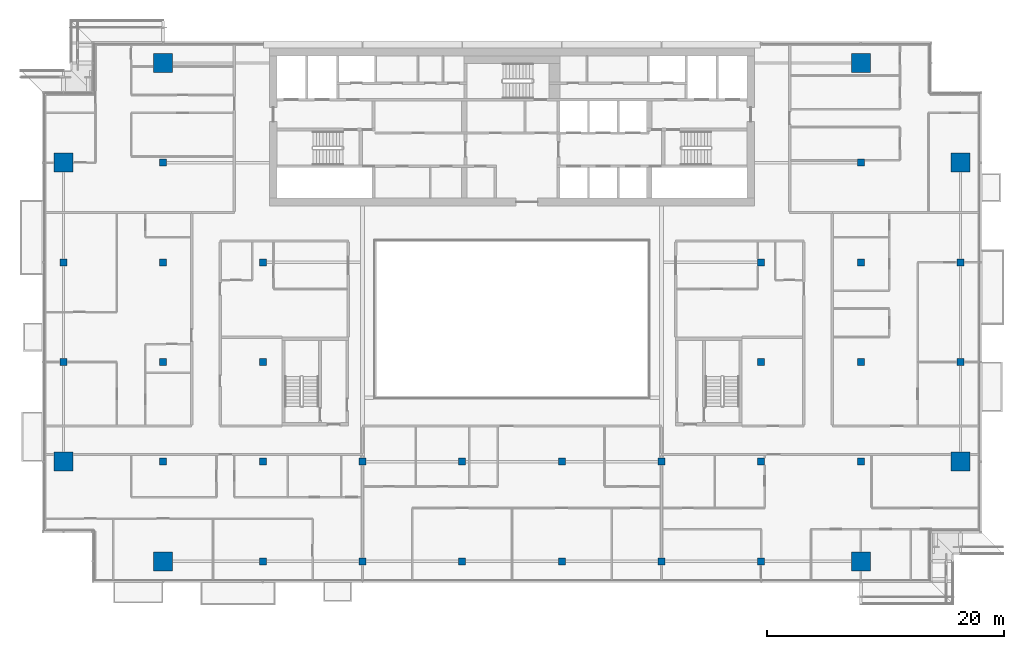
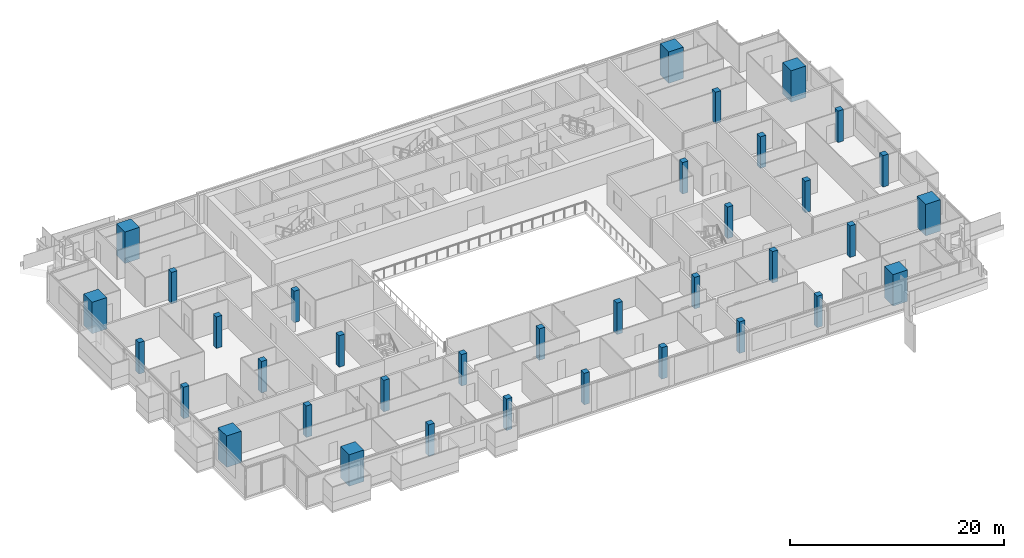
# One storey, part 1 of 30: 36 columns.
"""IFC4 building model written with IfcOpenShell, lengths in metres."""

from ifc_helpers import new_model, si_unit, direction, frame, origin, origin_2d, place, context, subcontext, project, spatial, rectangle, extrude, material, material_profile, profile_set, type_object, element, save


model = new_model("IFC4")

# Units and contexts
model_context = context("Model", 3, precision=1e-05, world=origin(), true_north=direction((0.0, 1.0)))
body_context = subcontext(model_context, "Body", "Model", "MODEL_VIEW")
ifc_project = project(units=[si_unit("LENGTHUNIT", "METRE"), si_unit("AREAUNIT", "SQUARE_METRE"), si_unit("VOLUMEUNIT", "CUBIC_METRE"), si_unit("PLANEANGLEUNIT", "RADIAN"), si_unit("MASSUNIT", "GRAM", prefix="KILO")], contexts=[model_context])

# Site, building, storey
site_placement = place(None, origin())
site = spatial("IfcSite", under=ifc_project, at=site_placement, CompositionType="ELEMENT")
building_placement = place(site_placement, origin())
building = spatial("IfcBuilding", under=site, at=building_placement, Name="Saffron Gate Tower", CompositionType="ELEMENT")
storey_placement = place(building_placement, frame((0.0, 0.0, 216.300048828125)))
storey = spatial("IfcBuildingStorey", under=building, at=storey_placement, Name="L52", CompositionType="ELEMENT", Elevation=216.300048828125)

# Columns
ifc_material_1 = material(Name="Concrete C50", Category="concrete")
ifc_material_profile_1 = material_profile(ifc_material_1, rectangle(XDim=0.60009765625, YDim=0.60009765625, at=origin_2d()))
ifc_profile_set_1 = profile_set([ifc_material_profile_1], Name="Concrete C50")
column_type_1 = type_object("IfcColumnType", Name="C2 RC 600x600 CONCRETE C50", PredefinedType="COLUMN", material=ifc_profile_set_1)
for number, where, z_axis, x_axis, name in (
    (1, (49.800048828125, 48.60009765625, 0.0), (0.0, 0.0, 1.0), (1.0, 0.0, 0.0), "C2 COLUMN X1-C"),
    (2, (49.800048828125, 57.0, 0.0), (0.0, 0.0, 1.0), (1.0, 0.0, 0.0), "C2 COLUMN X1-D"),
    (3, (58.199951171875, 40.199951171875, 0.0), (0.0, 0.0, 1.0), (1.0, 0.0, 0.0), "C2 COLUMN X2-B"),
    (4, (58.199951171875, 48.60009765625, 0.0), (0.0, 0.0, 1.0), (1.0, 0.0, 0.0), "C2 COLUMN X2-C"),
    (5, (58.199951171875, 57.0, 0.0), (0.0, 0.0, 1.0), (1.0, 0.0, 0.0), "C2 COLUMN X2-D"),
    (6, (58.199951171875, 65.39990234375, 0.0), (0.0, 0.0, 1.0), (1.0, 0.0, 0.0), "C2 COLUMN X2-E"),
    (7, (66.60009765625, 31.800048828125, 0.0), (0.0, 0.0, 1.0), (1.0, 0.0, 0.0), "C2 COLUMN X3-A"),
    (8, (66.60009765625, 40.199951171875, 0.0), (0.0, 0.0, 1.0), (1.0, 0.0, 0.0), "C2 COLUMN X3-B"),
    (9, (66.60009765625, 48.60009765625, 0.0), (0.0, 0.0, 1.0), (1.0, 0.0, 0.0), "C2 COLUMN X3-C"),
    (10, (66.60009765625, 57.0, 0.0), (0.0, 0.0, 1.0), (1.0, 0.0, 0.0), "C2 COLUMN X3-D"),
    (11, (75.0, 31.800048828125, 0.0), (0.0, 0.0, 1.0), (1.0, 0.0, 0.0), "C2 COLUMN X4-A"),
    (12, (75.0, 40.199951171875, 0.0), (0.0, 0.0, 1.0), (1.0, 0.0, 0.0), "C2 COLUMN X4-B"),
    (13, (83.39990234375, 31.800048828125, 0.0), (0.0, 0.0, 1.0), (1.0, 0.0, 0.0), "C2 COLUMN X5-A"),
    (14, (83.39990234375, 40.199951171875, 0.0), (0.0, 0.0, 1.0), (1.0, 0.0, 0.0), "C2 COLUMN X5-B"),
    (15, (91.800048828125, 31.800048828125, 0.0), (0.0, 0.0, 1.0), (1.0, 0.0, 0.0), "C2 COLUMN X6-A"),
    (16, (91.800048828125, 40.199951171875, 0.0), (0.0, 0.0, 1.0), (1.0, 0.0, 0.0), "C2 COLUMN X6-B"),
    (17, (100.199951171875, 31.800048828125, 0.0), (0.0, 0.0, 1.0), (1.0, 0.0, 0.0), "C2 COLUMN X7-A"),
    (18, (100.199951171875, 40.199951171875, 0.0), (0.0, 0.0, 1.0), (1.0, 0.0, 0.0), "C2 COLUMN X7-B"),
    (19, (108.60009765625, 31.800048828125, 0.0), (0.0, 0.0, 1.0), (1.0, 0.0, 0.0), "C2 COLUMN X8-A"),
    (20, (108.60009765625, 40.199951171875, 0.0), (0.0, 0.0, 1.0), (1.0, 0.0, 0.0), "C2 COLUMN X8-B"),
    (21, (108.60009765625, 48.60009765625, 0.0), (0.0, 0.0, 1.0), (1.0, 0.0, 0.0), "C2 COLUMN X8-C"),
    (22, (108.60009765625, 57.0, 0.0), (0.0, 0.0, 1.0), (1.0, 0.0, 0.0), "C2 COLUMN X8-D"),
    (23, (117.0, 40.199951171875, 0.0), (0.0, 0.0, 1.0), (1.0, 0.0, 0.0), "C2 COLUMN X9-B"),
    (24, (117.0, 48.60009765625, 0.0), (0.0, 0.0, 1.0), (1.0, 0.0, 0.0), "C2 COLUMN X9-C"),
    (25, (117.0, 57.0, 0.0), (0.0, 0.0, 1.0), (1.0, 0.0, 0.0), "C2 COLUMN X9-D"),
    (26, (117.0, 65.39990234375, 0.0), (0.0, 0.0, 1.0), (1.0, 0.0, 0.0), "C2 COLUMN X9-E"),
    (27, (125.39990234375, 48.60009765625, 0.0), (0.0, 0.0, 1.0), (1.0, 0.0, 0.0), "C2 COLUMN X10-C"),
    (28, (125.39990234375, 57.0, 0.0), (0.0, 0.0, 1.0), (1.0, 0.0, 0.0), "C2 COLUMN X10-D"),
):
    element("IfcColumn", number, at=place(storey_placement, frame(where, z_axis=z_axis, x_axis=x_axis)), inside=storey, type_object=column_type_1, Name=name, PredefinedType="COLUMN", context=body_context, shape_type="SweptSolid", body=[
        extrude(rectangle(XDim=0.60009765625, YDim=0.60009765625, at=origin_2d()), origin(), (0.0, 0.0, 1.0), 3.599853515625),
    ])
ifc_material_2 = material(Name="Concrete C70", Category="concrete")
ifc_material_profile_2 = material_profile(ifc_material_2, rectangle(XDim=1.60009765625, YDim=1.60009765625, at=origin_2d()))
ifc_profile_set_2 = profile_set([ifc_material_profile_2], Name="Concrete C70")
column_type_2 = type_object("IfcColumnType", Name="MC1 RC 1600x1600 CONCRETE C70", PredefinedType="COLUMN", material=ifc_profile_set_2)
for number, where, z_axis, x_axis, name in (
    (29, (49.800048828125, 40.199951171875, 0.0), (0.0, 0.0, 1.0), (1.0, 0.0, 0.0), "MC1 MEGA COLUMN X1-B"),
    (30, (49.800048828125, 65.39990234375, 0.0), (0.0, 0.0, 1.0), (1.0, 0.0, 0.0), "MC1 MEGA COLUMN X1-E"),
    (31, (58.199951171875, 31.800048828125, 0.0), (0.0, 0.0, 1.0), (1.0, 0.0, 0.0), "MC1 MEGA COLUMN X2-A"),
    (32, (58.199951171875, 73.800048828125, 0.0), (0.0, 0.0, 1.0), (1.0, 0.0, 0.0), "MC1 MEGA COLUMN X2-F"),
    (33, (117.0, 31.800048828125, 0.0), (0.0, 0.0, 1.0), (1.0, 0.0, 0.0), "MC1 MEGA COLUMN X9-A"),
    (34, (117.0, 73.800048828125, 0.0), (0.0, 0.0, 1.0), (1.0, 0.0, 0.0), "MC1 MEGA COLUMN X9-F"),
    (35, (125.39990234375, 40.199951171875, 0.0), (0.0, 0.0, 1.0), (1.0, 0.0, 0.0), "MC1 MEGA COLUMN X10-B"),
    (36, (125.39990234375, 65.39990234375, 0.0), (0.0, 0.0, 1.0), (1.0, 0.0, 0.0), "MC1 MEGA COLUMN X10-E"),
):
    element("IfcColumn", number, at=place(storey_placement, frame(where, z_axis=z_axis, x_axis=x_axis)), inside=storey, type_object=column_type_2, Name=name, PredefinedType="COLUMN", context=body_context, shape_type="SweptSolid", body=[
        extrude(rectangle(XDim=1.60009765625, YDim=1.60009765625, at=origin_2d()), origin(), (0.0, 0.0, 1.0), 3.599853515625),
    ])

save(model, "model.ifc")
